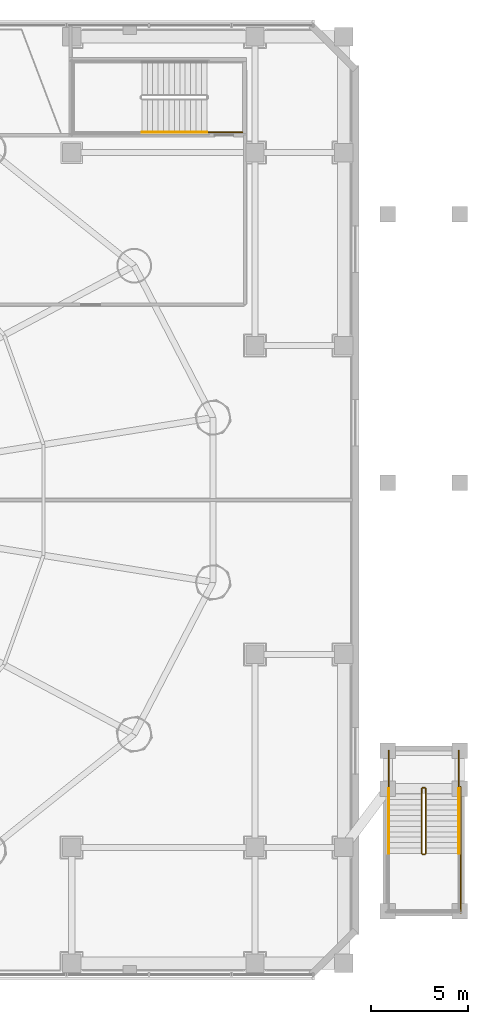
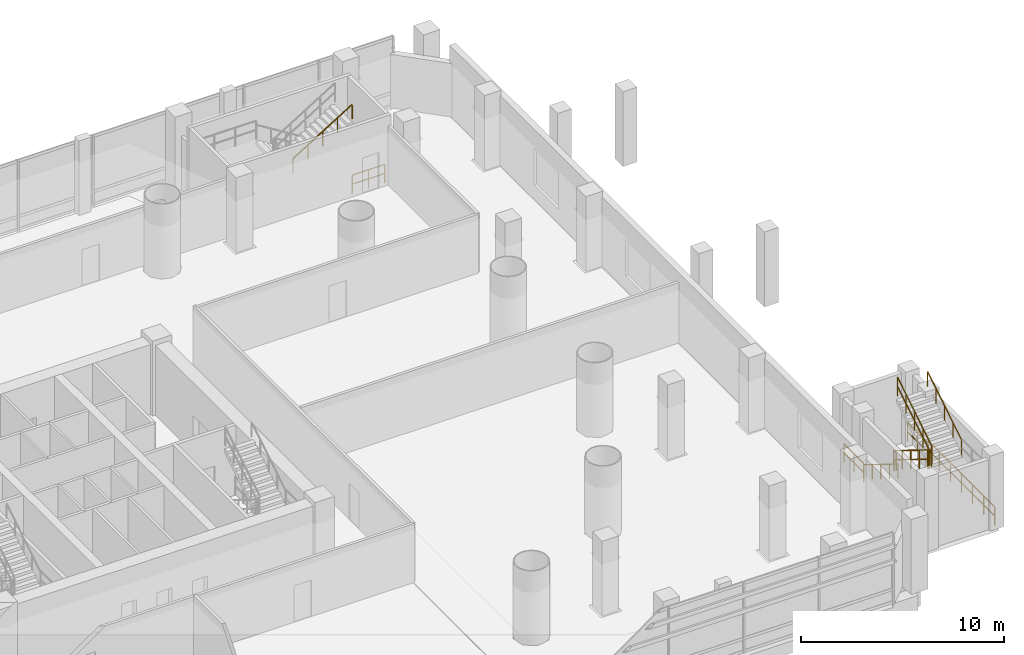
# One storey, part 35 of 36: 11 railings.
"""IFC4 building model written with IfcOpenShell, lengths in metres."""

from ifc_helpers import new_model, si_unit, direction, frame, origin, origin_2d, place, context, subcontext, project, spatial, rectangle, extrude, material, type_object, element, save


model = new_model("IFC4")

# Units and contexts
model_context = context("Model", 3, precision=1e-05, world=origin(), true_north=direction((-0.2419218956, 0.970295726276)))
body_context = subcontext(model_context, "Body", "Model", "MODEL_VIEW")
ifc_project = project(units=[si_unit("LENGTHUNIT", "METRE"), si_unit("AREAUNIT", "SQUARE_METRE"), si_unit("VOLUMEUNIT", "CUBIC_METRE"), si_unit("PLANEANGLEUNIT", "RADIAN"), si_unit("MASSUNIT", "GRAM", prefix="KILO")], contexts=[model_context])

# Site, building, storey
site_placement = place(None, origin())
site = spatial("IfcSite", under=ifc_project, at=site_placement, CompositionType="ELEMENT")
building_placement = place(site_placement, origin())
building = spatial("IfcBuilding", under=site, at=building_placement, Name="Cobrevalo Terracotta Tower", CompositionType="ELEMENT")
storey_placement = place(building_placement, frame((0.0, 0.0, 9.89990234375)))
storey = spatial("IfcBuildingStorey", under=building, at=storey_placement, Name="L02", CompositionType="ELEMENT", Elevation=9.89990234375)

# Railings
ifc_material_1 = material(Name="Brushed stainless steel", Category="steel")
railing_type_1 = type_object("IfcRailingType", Name="Stainless Steel Stair Handrail 900", PredefinedType="HANDRAIL", material=ifc_material_1)
railing_1_placement = place(storey_placement, frame((61.139892578125, 45.85009765625, 2.423095703125)))
element("IfcRailing", 1, at=railing_1_placement, inside=storey, type_object=railing_type_1, Name="L02 ST-P2 stair handrail 2", PredefinedType="HANDRAIL", context=body_context, shape_type="SweptSolid", body=[
    extrude(rectangle(XDim=0.048095703125, YDim=0.048095703125, at=origin_2d()), frame((0.0, 0.0, 0.8759765625), z_axis=(0.850623216509, 0.0, 0.525775754039), x_axis=(0.0, 1.0, 0.0)), (0.0, 0.0, 1.0), 3.9501953125),
    extrude(rectangle(XDim=0.0419921875, YDim=0.0419921875, at=origin_2d()), origin(), (0.0, 0.0, 1.0), 0.851806640625),
    extrude(rectangle(XDim=0.0419921875, YDim=0.0419921875, at=origin_2d()), frame((0.840087890625, 0.0, 0.519287109375)), (0.0, 0.0, 1.0), 0.851806640625),
    extrude(rectangle(XDim=0.0419921875, YDim=0.0419921875, at=origin_2d()), frame((1.68017578125, 0.0, 1.03857421875)), (0.0, 0.0, 1.0), 0.851806640625),
    extrude(rectangle(XDim=0.0419921875, YDim=0.0419921875, at=origin_2d()), frame((2.52001953125, 0.0, 1.5576171875)), (0.0, 0.0, 1.0), 0.851806640625),
    extrude(rectangle(XDim=0.0419921875, YDim=0.0419921875, at=origin_2d()), frame((3.360107421875, 0.0, 2.076904296875)), (0.0, 0.0, 1.0), 0.851806640625),
])
railing_2_placement = place(storey_placement, frame((73.929931640625, 11.85009765625, 0.173095703125)))
element("IfcRailing", 2, at=railing_2_placement, inside=storey, type_object=railing_type_1, Name="L02 ST-EXT-E stair handrail 1", PredefinedType="HANDRAIL", context=body_context, shape_type="SweptSolid", body=[
    extrude(rectangle(XDim=0.048095703125, YDim=0.048095703125, at=origin_2d()), frame((0.0, 0.0, 0.8759765625), z_axis=(0.0, -0.850623216509, 0.525775754039), x_axis=(1.0, 0.0, 0.0)), (0.0, 0.0, 1.0), 3.9501953125),
    extrude(rectangle(XDim=0.0419921875, YDim=0.0419921875, at=origin_2d()), origin(), (0.0, 0.0, 1.0), 0.851806640625),
    extrude(rectangle(XDim=0.0419921875, YDim=0.0419921875, at=origin_2d()), frame((0.0, -0.840087890625, 0.519287109375)), (0.0, 0.0, 1.0), 0.851806640625),
    extrude(rectangle(XDim=0.0419921875, YDim=0.0419921875, at=origin_2d()), frame((0.0, -1.68017578125, 1.03857421875)), (0.0, 0.0, 1.0), 0.851806640625),
    extrude(rectangle(XDim=0.0419921875, YDim=0.0419921875, at=origin_2d()), frame((0.0, -2.52001953125, 1.5576171875)), (0.0, 0.0, 1.0), 0.851806640625),
    extrude(rectangle(XDim=0.0419921875, YDim=0.0419921875, at=origin_2d()), frame((0.0, -3.360107421875, 2.076904296875)), (0.0, 0.0, 1.0), 0.851806640625),
])
railing_3_placement = place(storey_placement, frame((77.550048828125, 8.489990234375, 2.423095703125)))
element("IfcRailing", 3, at=railing_3_placement, inside=storey, type_object=railing_type_1, Name="L02 ST-EXT-E stair handrail 2", PredefinedType="HANDRAIL", context=body_context, shape_type="SweptSolid", body=[
    extrude(rectangle(XDim=0.048095703125, YDim=0.048095703125, at=origin_2d()), frame((0.0, 0.0, 0.8759765625), z_axis=(0.0, 0.850623216509, 0.525775754039), x_axis=(-1.0, 0.0, 0.0)), (0.0, 0.0, 1.0), 3.9501953125),
    extrude(rectangle(XDim=0.0419921875, YDim=0.0419921875, at=origin_2d()), origin(), (0.0, 0.0, 1.0), 0.851806640625),
    extrude(rectangle(XDim=0.0419921875, YDim=0.0419921875, at=origin_2d()), frame((0.0, 0.840087890625, 0.519287109375)), (0.0, 0.0, 1.0), 0.851806640625),
    extrude(rectangle(XDim=0.0419921875, YDim=0.0419921875, at=origin_2d()), frame((0.0, 1.68017578125, 1.03857421875)), (0.0, 0.0, 1.0), 0.851806640625),
    extrude(rectangle(XDim=0.0419921875, YDim=0.0419921875, at=origin_2d()), frame((0.0, 2.52001953125, 1.5576171875)), (0.0, 0.0, 1.0), 0.851806640625),
    extrude(rectangle(XDim=0.0419921875, YDim=0.0419921875, at=origin_2d()), frame((0.0, 3.360107421875, 2.076904296875)), (0.0, 0.0, 1.0), 0.851806640625),
])
ifc_material_2 = material(Name="Painted galvanized steel", Category="steel")
railing_type_2 = type_object("IfcRailingType", Name="Stair Well Guard Balustrade 1150", PredefinedType="GUARDRAIL", material=ifc_material_2)
railing_4_placement = place(storey_placement, frame((66.35009765625, 45.85009765625, 0.0)))
element("IfcRailing", 4, at=railing_4_placement, inside=storey, type_object=railing_type_2, Name="L02 ST-P2 stair guard 9", PredefinedType="GUARDRAIL", context=body_context, shape_type="SweptSolid", body=[
    extrude(rectangle(XDim=0.048095703125, YDim=0.048095703125, at=origin_2d()), frame((0.0, 0.0, 1.1259765625), z_axis=(-1.0, 0.0, 0.0), x_axis=(0.0, -1.0, 0.0)), (0.0, 0.0, 1.0), 1.85009765625),
    extrude(rectangle(XDim=0.048095703125, YDim=0.048095703125, at=origin_2d()), frame((0.0, 0.0, 0.574951171875), z_axis=(-1.0, 0.0, 0.0), x_axis=(0.0, -1.0, 0.0)), (0.0, 0.0, 1.0), 1.85009765625),
    extrude(rectangle(XDim=0.0419921875, YDim=0.0419921875, at=origin_2d()), origin(), (0.0, 0.0, 1.0), 1.101806640625),
    extrude(rectangle(XDim=0.0419921875, YDim=0.0419921875, at=origin_2d()), frame((-0.925048828125, 0.0, 0.0)), (0.0, 0.0, 1.0), 1.101806640625),
    extrude(rectangle(XDim=0.0419921875, YDim=0.0419921875, at=origin_2d()), frame((-1.85009765625, 0.0, 0.0)), (0.0, 0.0, 1.0), 1.101806640625),
])
railing_5_placement = place(storey_placement, frame((75.6298828125, 11.85009765625, 0.173095703125)))
element("IfcRailing", 5, at=railing_5_placement, inside=storey, type_object=railing_type_2, Name="L02 ST-EXT-E stair guard 1", PredefinedType="GUARDRAIL", context=body_context, shape_type="SweptSolid", body=[
    extrude(rectangle(XDim=0.048095703125, YDim=0.048095703125, at=origin_2d()), frame((0.0, 0.0, 1.1259765625), z_axis=(0.0, -0.850623216509, 0.525775754039), x_axis=(1.0, 0.0, 0.0)), (0.0, 0.0, 1.0), 3.9501953125),
    extrude(rectangle(XDim=0.048095703125, YDim=0.048095703125, at=origin_2d()), frame((0.0, 0.0, 0.574951171875), z_axis=(0.0, -0.850623216509, 0.525775754039), x_axis=(1.0, 0.0, 0.0)), (0.0, 0.0, 1.0), 3.9501953125),
    extrude(rectangle(XDim=0.0419921875, YDim=0.0419921875, at=origin_2d()), origin(), (0.0, 0.0, 1.0), 1.101806640625),
    extrude(rectangle(XDim=0.0419921875, YDim=0.0419921875, at=origin_2d()), frame((0.0, -0.840087890625, 0.519287109375)), (0.0, 0.0, 1.0), 1.101806640625),
    extrude(rectangle(XDim=0.0419921875, YDim=0.0419921875, at=origin_2d()), frame((0.0, -1.68017578125, 1.03857421875)), (0.0, 0.0, 1.0), 1.101806640625),
    extrude(rectangle(XDim=0.0419921875, YDim=0.0419921875, at=origin_2d()), frame((0.0, -2.52001953125, 1.5576171875)), (0.0, 0.0, 1.0), 1.101806640625),
    extrude(rectangle(XDim=0.0419921875, YDim=0.0419921875, at=origin_2d()), frame((0.0, -3.360107421875, 2.076904296875)), (0.0, 0.0, 1.0), 1.101806640625),
])
railing_6_placement = place(storey_placement, frame((75.679931640625, 8.43994140625, 2.25)))
element("IfcRailing", 6, at=railing_6_placement, inside=storey, type_object=railing_type_2, Name="L02 ST-EXT-E stair guard 2", PredefinedType="GUARDRAIL", context=body_context, shape_type="SweptSolid", body=[
    extrude(rectangle(XDim=0.048095703125, YDim=0.048095703125, at=origin_2d()), frame((0.0, 0.0, 1.1259765625), z_axis=(1.0, 0.0, 0.0), x_axis=(0.0, 1.0, 0.0)), (0.0, 0.0, 1.0), 0.1201171875),
    extrude(rectangle(XDim=0.048095703125, YDim=0.048095703125, at=origin_2d()), frame((0.0, 0.0, 0.574951171875), z_axis=(1.0, 0.0, 0.0), x_axis=(0.0, 1.0, 0.0)), (0.0, 0.0, 1.0), 0.1201171875),
    extrude(rectangle(XDim=0.0419921875, YDim=0.0419921875, at=origin_2d()), origin(), (0.0, 0.0, 1.0), 1.101806640625),
    extrude(rectangle(XDim=0.0419921875, YDim=0.0419921875, at=origin_2d()), frame((0.1201171875, 0.0, 0.0)), (0.0, 0.0, 1.0), 1.101806640625),
])
railing_7_placement = place(storey_placement, frame((75.85009765625, 8.489990234375, 2.423095703125)))
element("IfcRailing", 7, at=railing_7_placement, inside=storey, type_object=railing_type_2, Name="L02 ST-EXT-E stair guard 6", PredefinedType="GUARDRAIL", context=body_context, shape_type="SweptSolid", body=[
    extrude(rectangle(XDim=0.048095703125, YDim=0.048095703125, at=origin_2d()), frame((0.0, 0.0, 1.1259765625), z_axis=(0.0, 0.850623216509, 0.525775754039), x_axis=(-1.0, 0.0, 0.0)), (0.0, 0.0, 1.0), 3.9501953125),
    extrude(rectangle(XDim=0.048095703125, YDim=0.048095703125, at=origin_2d()), frame((0.0, 0.0, 0.574951171875), z_axis=(0.0, 0.850623216509, 0.525775754039), x_axis=(-1.0, 0.0, 0.0)), (0.0, 0.0, 1.0), 3.9501953125),
    extrude(rectangle(XDim=0.0419921875, YDim=0.0419921875, at=origin_2d()), origin(), (0.0, 0.0, 1.0), 1.101806640625),
    extrude(rectangle(XDim=0.0419921875, YDim=0.0419921875, at=origin_2d()), frame((0.0, 0.840087890625, 0.519287109375)), (0.0, 0.0, 1.0), 1.101806640625),
    extrude(rectangle(XDim=0.0419921875, YDim=0.0419921875, at=origin_2d()), frame((0.0, 1.68017578125, 1.03857421875)), (0.0, 0.0, 1.0), 1.101806640625),
    extrude(rectangle(XDim=0.0419921875, YDim=0.0419921875, at=origin_2d()), frame((0.0, 2.52001953125, 1.5576171875)), (0.0, 0.0, 1.0), 1.101806640625),
    extrude(rectangle(XDim=0.0419921875, YDim=0.0419921875, at=origin_2d()), frame((0.0, 3.360107421875, 2.076904296875)), (0.0, 0.0, 1.0), 1.101806640625),
])
railing_8_placement = place(storey_placement, frame((75.679931640625, 11.89990234375, 0.0)))
element("IfcRailing", 8, at=railing_8_placement, inside=storey, type_object=railing_type_2, Name="L02 ST-EXT-E stair guard 7", PredefinedType="GUARDRAIL", context=body_context, shape_type="SweptSolid", body=[
    extrude(rectangle(XDim=0.048095703125, YDim=0.048095703125, at=origin_2d()), frame((0.0, 0.0, 1.1259765625), z_axis=(1.0, 0.0, 0.0), x_axis=(0.0, 1.0, 0.0)), (0.0, 0.0, 1.0), 0.1201171875),
    extrude(rectangle(XDim=0.048095703125, YDim=0.048095703125, at=origin_2d()), frame((0.0, 0.0, 0.574951171875), z_axis=(1.0, 0.0, 0.0), x_axis=(0.0, 1.0, 0.0)), (0.0, 0.0, 1.0), 0.1201171875),
    extrude(rectangle(XDim=0.0419921875, YDim=0.0419921875, at=origin_2d()), origin(), (0.0, 0.0, 1.0), 1.101806640625),
    extrude(rectangle(XDim=0.0419921875, YDim=0.0419921875, at=origin_2d()), frame((0.1201171875, 0.0, 0.0)), (0.0, 0.0, 1.0), 1.101806640625),
])
for number, where, name in (
    (9, (73.929931640625, 13.800048828125, 0.0), "L02 ST-EXT-E stair guard 8"),
    (10, (77.550048828125, 13.800048828125, 0.0), "L02 ST-EXT-E stair guard 9"),
):
    element("IfcRailing", number, at=place(storey_placement, frame(where)), inside=storey, type_object=railing_type_2, Name=name, PredefinedType="GUARDRAIL", context=body_context, shape_type="SweptSolid", body=[
        extrude(rectangle(XDim=0.048095703125, YDim=0.048095703125, at=origin_2d()), frame((0.0, 0.0, 1.1259765625), z_axis=(0.0, -1.0, 0.0), x_axis=(1.0, 0.0, 0.0)), (0.0, 0.0, 1.0), 1.949951171875),
        extrude(rectangle(XDim=0.048095703125, YDim=0.048095703125, at=origin_2d()), frame((0.0, 0.0, 0.574951171875), z_axis=(0.0, -1.0, 0.0), x_axis=(1.0, 0.0, 0.0)), (0.0, 0.0, 1.0), 1.949951171875),
        extrude(rectangle(XDim=0.0419921875, YDim=0.0419921875, at=origin_2d()), origin(), (0.0, 0.0, 1.0), 1.101806640625),
        extrude(rectangle(XDim=0.0419921875, YDim=0.0419921875, at=origin_2d()), frame((0.0, -0.97509765625, 0.0)), (0.0, 0.0, 1.0), 1.101806640625),
        extrude(rectangle(XDim=0.0419921875, YDim=0.0419921875, at=origin_2d()), frame((0.0, -1.949951171875, 0.0)), (0.0, 0.0, 1.0), 1.101806640625),
    ])
railing_9_placement = place(storey_placement, frame((77.64990234375, 11.949951171875, 0.0)))
element("IfcRailing", 11, at=railing_9_placement, inside=storey, type_object=railing_type_2, Name="L02 ST-EXT-E stair guard 11", PredefinedType="GUARDRAIL", context=body_context, shape_type="SweptSolid", body=[
    extrude(rectangle(XDim=0.048095703125, YDim=0.048095703125, at=origin_2d()), frame((0.0, 0.0, 1.1259765625), z_axis=(0.0, -1.0, 0.0), x_axis=(1.0, 0.0, 0.0)), (0.0, 0.0, 1.0), 6.550048828125),
    extrude(rectangle(XDim=0.048095703125, YDim=0.048095703125, at=origin_2d()), frame((0.0, 0.0, 0.574951171875), z_axis=(0.0, -1.0, 0.0), x_axis=(1.0, 0.0, 0.0)), (0.0, 0.0, 1.0), 6.550048828125),
    extrude(rectangle(XDim=0.0419921875, YDim=0.0419921875, at=origin_2d()), origin(), (0.0, 0.0, 1.0), 1.101806640625),
    extrude(rectangle(XDim=0.0419921875, YDim=0.0419921875, at=origin_2d()), frame((0.0, -1.091796875, 0.0)), (0.0, 0.0, 1.0), 1.101806640625),
    extrude(rectangle(XDim=0.0419921875, YDim=0.0419921875, at=origin_2d()), frame((0.0, -2.183349609375, 0.0)), (0.0, 0.0, 1.0), 1.101806640625),
    extrude(rectangle(XDim=0.0419921875, YDim=0.0419921875, at=origin_2d()), frame((0.0, -3.27490234375, 0.0)), (0.0, 0.0, 1.0), 1.101806640625),
    extrude(rectangle(XDim=0.0419921875, YDim=0.0419921875, at=origin_2d()), frame((0.0, -4.36669921875, 0.0)), (0.0, 0.0, 1.0), 1.101806640625),
    extrude(rectangle(XDim=0.0419921875, YDim=0.0419921875, at=origin_2d()), frame((0.0, -5.45849609375, 0.0)), (0.0, 0.0, 1.0), 1.101806640625),
    extrude(rectangle(XDim=0.0419921875, YDim=0.0419921875, at=origin_2d()), frame((0.0, -6.550048828125, 0.0)), (0.0, 0.0, 1.0), 1.101806640625),
])

save(model, "model.ifc")
